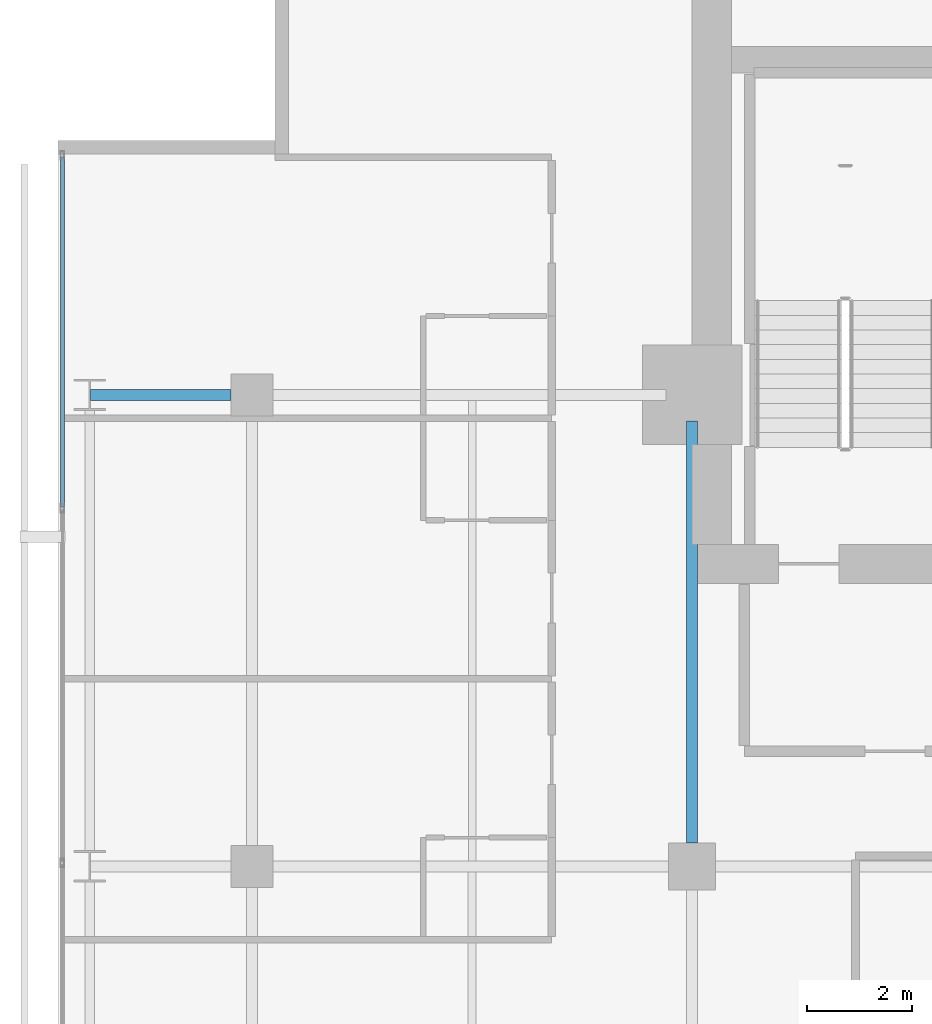
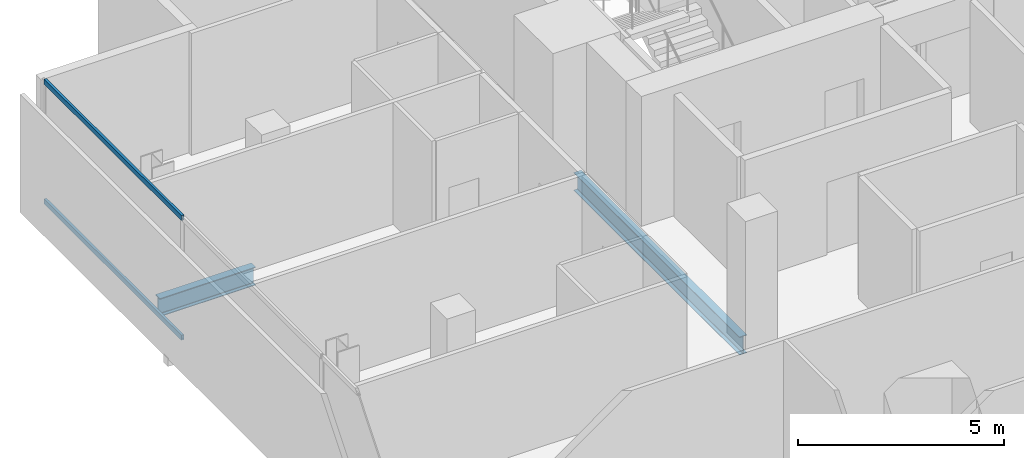
# One storey, part 19 of 34: 2 beams, 2 members, 1 element without a shape of its own.
"""IFC4 building model written with IfcOpenShell, lengths in metres."""

from ifc_helpers import new_model, si_unit, direction, frame, origin, origin_2d, place, context, subcontext, project, spatial, hollow_rectangle, i_section, extrude, material, layer, layer_set, material_profile, profile_set, type_object, element, aggregate, save


model = new_model("IFC4")

# Units and contexts
model_context = context("Model", 3, precision=1e-05, world=origin(), true_north=direction((0.0, 1.0)))
body_context = subcontext(model_context, "Body", "Model", "MODEL_VIEW")
ifc_project = project(units=[si_unit("LENGTHUNIT", "METRE"), si_unit("AREAUNIT", "SQUARE_METRE"), si_unit("VOLUMEUNIT", "CUBIC_METRE"), si_unit("PLANEANGLEUNIT", "RADIAN"), si_unit("MASSUNIT", "GRAM", prefix="KILO")], contexts=[model_context])

# Site, building, storey
site_placement = place(None, origin())
site = spatial("IfcSite", under=ifc_project, at=site_placement, CompositionType="ELEMENT")
building_placement = place(site_placement, origin())
building = spatial("IfcBuilding", under=site, at=building_placement, Name="Maruvema Waterfront Hotel and Observation Tower", CompositionType="ELEMENT")
storey_placement = place(building_placement, frame((0.0, 0.0, 215.949951171875)))
storey = spatial("IfcBuildingStorey", under=building, at=storey_placement, Name="L53", CompositionType="ELEMENT", Elevation=215.949951171875)

# Curtain wall, members
ifc_material_1 = material(Name="Anodised bronze aluminium and solar-control low-E IGU", Category="aluminium")
ifc_layer = layer(ifc_material_1, 0.159912109375, Name="Zone 2 Amber Inner Thermal Curtain Wall System CW-03")
ifc_layer_set = layer_set([ifc_layer], Name="Anodised bronze aluminium and solar-control low-E IGU")
curtain_wall_type = type_object("IfcCurtainWallType", Name="Zone 2 Amber Inner Thermal Curtain Wall System CW-03", PredefinedType="USERDEFINED", material=ifc_layer_set)
curtain_wall_placement = place(storey_placement, origin())
curtain_wall = element("IfcCurtainWall", 1, at=curtain_wall_placement, inside=storey, type_object=curtain_wall_type, Name="L53 Curtain Wall CW-L53-W", ObjectType="UNITISED CURTAIN WALL", PredefinedType="USERDEFINED")
ifc_material_2 = material(Name="Anodised architectural bronze aluminium", Category="aluminium")
ifc_material_profile_1 = material_profile(ifc_material_2, hollow_rectangle(XDim=0.070068359375, YDim=0.14990234375, WallThickness=0.00390625, at=origin_2d()), Name="ALU-T70x150")
ifc_profile_set_1 = profile_set([ifc_material_profile_1], Name="Anodised architectural bronze aluminium")
member_type = type_object("IfcMemberType", Name="Curtain Wall Horizontal Transom ALU-T70x150", PredefinedType="USERDEFINED", material=ifc_profile_set_1)
member_1_placement = place(storey_placement, frame((13.179931640625, 49.5400390625, 0.030029296875), z_axis=(0.0, -1.0, 0.0), x_axis=(1.0, 0.0, 0.0)))
member_1 = element("IfcMember", 2, at=member_1_placement, type_object=member_type, Name="CW-03 transom 1.1", ObjectType="TRANSOM", PredefinedType="USERDEFINED", context=body_context, shape_type="SweptSolid", body=[
    extrude(hollow_rectangle(XDim=0.070068359375, YDim=0.14990234375, WallThickness=0.00390625, at=origin_2d()), origin(), (0.0, 0.0, 1.0), 6.6767578125),
])
member_2_placement = place(storey_placement, frame((13.179931640625, 49.5400390625, 3.580078125), z_axis=(0.0, -1.0, 0.0), x_axis=(1.0, 0.0, 0.0)))
member_2 = element("IfcMember", 3, at=member_2_placement, type_object=member_type, Name="CW-03 transom 1.2", ObjectType="TRANSOM", PredefinedType="USERDEFINED", context=body_context, shape_type="SweptSolid", body=[
    extrude(hollow_rectangle(XDim=0.070068359375, YDim=0.14990234375, WallThickness=0.00390625, at=origin_2d()), origin(), (0.0, 0.0, 1.0), 6.6767578125),
])
aggregate(curtain_wall, [member_1, member_2])

# Beams
ifc_material_3 = material(Name="Steel ASTM A572 Grade 50", Category="steel")
ifc_material_profile_2 = material_profile(ifc_material_3, i_section(OverallWidth=0.2109375, OverallDepth=0.5390625, WebThickness=0.01171875, FlangeThickness=0.018798828125, FilletRadius=0.014892578125, at=origin_2d()), Name="W530x109.0")
ifc_profile_set_2 = profile_set([ifc_material_profile_2], Name="Steel ASTM A572 Grade 50")
beam_type = type_object("IfcBeamType", Name="Primary Floor Girder W530x109.0", PredefinedType="BEAM", material=ifc_profile_set_2)
beam_1_placement = place(storey_placement, frame((13.71240234375, 45.0, -0.509521484375), z_axis=(1.0, 0.0, 0.0), x_axis=(0.0, 1.0, 0.0)))
element("IfcBeam", 4, at=beam_1_placement, inside=storey, type_object=beam_type, Name="L53 Floor Girder EW-30", PredefinedType="BEAM", context=body_context, shape_type="SweptSolid", body=[
    extrude(i_section(OverallWidth=0.2109375, OverallDepth=0.5390625, WebThickness=0.01171875, FlangeThickness=0.018798828125, FilletRadius=0.014892578125, at=origin_2d()), origin(), (0.0, 0.0, 1.0), 2.6875),
])
beam_2_placement = place(storey_placement, frame((25.199951171875, 36.449951171875, -0.509521484375), z_axis=(0.0, 1.0, 0.0), x_axis=(-1.0, 0.0, 0.0)))
element("IfcBeam", 5, at=beam_2_placement, inside=storey, type_object=beam_type, Name="L53 Floor Girder NS-13", PredefinedType="BEAM", context=body_context, shape_type="SweptSolid", body=[
    extrude(i_section(OverallWidth=0.2109375, OverallDepth=0.5390625, WebThickness=0.01171875, FlangeThickness=0.018798828125, FilletRadius=0.014892578125, at=origin_2d()), origin(), (0.0, 0.0, 1.0), 8.050048828125),
])

save(model, "model.ifc")
